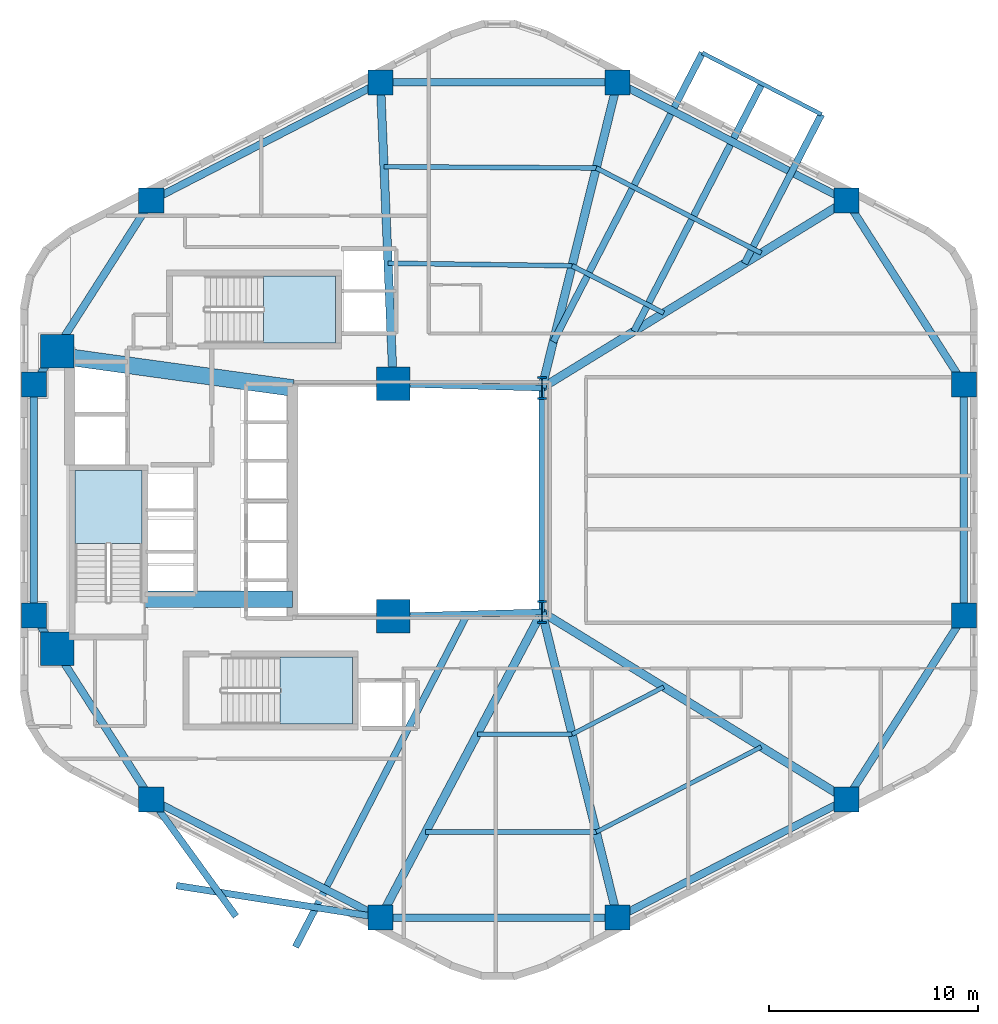
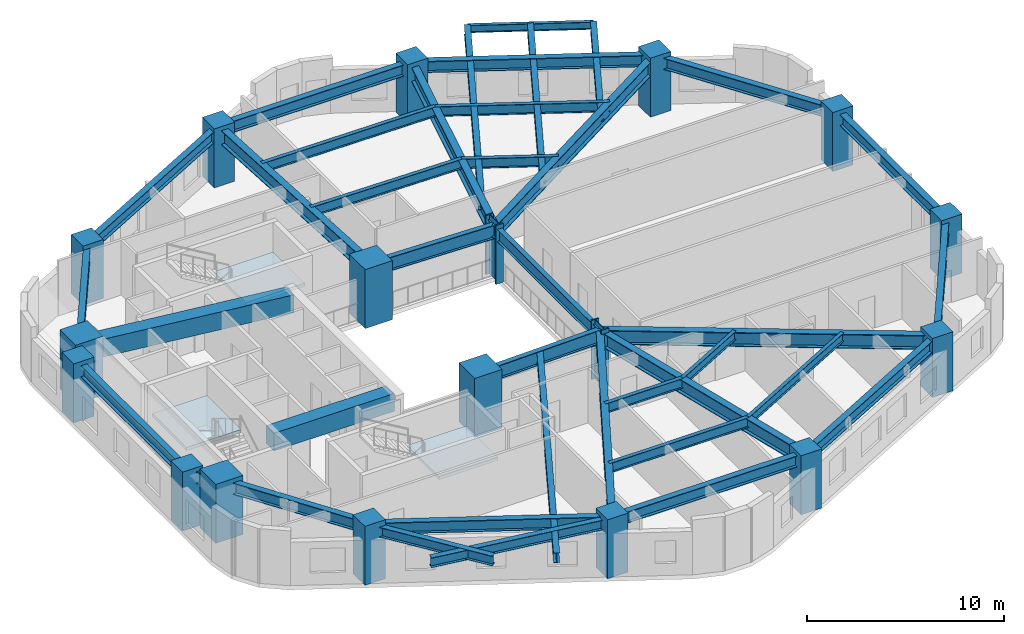
# One storey, part 1 of 7: 38 beams, 18 columns, 3 slabs, 3 elements without a shape of their own.
"""IFC4 building model written with IfcOpenShell, lengths in metres."""

import ifcopenshell
import ifcopenshell.guid

model = None  # the IFC model being written
_history = None  # IfcOwnerHistory: only IFC2X3 demands one
_inside = {}  # id of a spatial element -> (the spatial element, [elements in it])
_under = {}  # id of a project, library or spatial element -> (it, [spatial elements below it])
_declared = {}  # id of a project -> (the project, [libraries it declares])
_typed = {}  # id of a type object -> (the type object, [elements of that type])
_made_of = {}  # id of a material, layer set ... -> (it, [elements and type objects made of it])


def new_model(schema):
    """Start an empty IFC model of exactly this schema.

    Asked for "IFC4X3", IfcOpenShell would pick the latest addendum, in which some entities
    have other attributes; the version numbers below select the first issue.
    IFC2X3 requires an IfcOwnerHistory on every rooted entity: one is made here for all.
    """
    global model, _history
    if schema == "IFC4X3":
        model = ifcopenshell.file(schema_version=(4, 3, 0, 0))
    else:
        model = ifcopenshell.file(schema=schema)
    _inside.clear()
    _under.clear()
    _declared.clear()
    _typed.clear()
    _made_of.clear()
    _history = None
    if model.schema == "IFC2X3":
        org = make("IfcOrganization", Name="unknown")
        user = make(
            "IfcPersonAndOrganization",
            ThePerson=make("IfcPerson", FamilyName="unknown"),
            TheOrganization=org,
        )
        app = make(
            "IfcApplication",
            ApplicationDeveloper=org,
            Version="unknown",
            ApplicationFullName="unknown",
            ApplicationIdentifier="unknown",
        )
        _history = make(
            "IfcOwnerHistory",
            OwningUser=user,
            OwningApplication=app,
            ChangeAction="ADDED",
            CreationDate=0,
        )
    return model


def make(cls, **values):
    """One entity of the class cls with the attributes given. An attribute that is None is left unset."""
    return model.create_entity(
        cls, **{name: value for name, value in values.items() if value is not None}
    )


def rooted(cls, **values):
    """An entity with a GlobalId (a new one), such as an element, a storey or a relation."""
    return make(cls, GlobalId=ifcopenshell.guid.new(), OwnerHistory=_history, **values)


def si_unit(unit_type, name, prefix=None):
    """IfcSIUnit, for example si_unit("LENGTHUNIT", "METRE", prefix="MILLI")."""
    return make("IfcSIUnit", UnitType=unit_type, Prefix=prefix, Name=name)


def assignment(units):
    """IfcUnitAssignment: the units of a project."""
    return None if units is None else make("IfcUnitAssignment", Units=units)


def point(xyz):
    """IfcCartesianPoint."""
    return None if xyz is None else make("IfcCartesianPoint", Coordinates=xyz)


def direction(xyz):
    """IfcDirection."""
    return None if xyz is None else make("IfcDirection", DirectionRatios=xyz)


def frame(location, z_axis=None, x_axis=None):
    """IfcAxis2Placement3D, a coordinate frame: its origin and axes. An axis left out is left unset."""
    return make(
        "IfcAxis2Placement3D",
        Location=point(location),
        Axis=direction(z_axis),
        RefDirection=direction(x_axis),
    )


def frame_2d(location, x_axis=None):
    """IfcAxis2Placement2D, a coordinate frame in the plane: its origin and x axis."""
    return make(
        "IfcAxis2Placement2D", Location=point(location), RefDirection=direction(x_axis)
    )


def origin():
    """The frame at (0, 0, 0) with its axes left unset."""
    return frame((0.0, 0.0, 0.0))


def origin_2d():
    """The frame at (0, 0) in the plane with its x axis left unset."""
    return frame_2d((0.0, 0.0))


def place(relative_to, where):
    """IfcLocalPlacement: puts the frame where relative to a parent placement (None: the world)."""
    return make(
        "IfcLocalPlacement", PlacementRelTo=relative_to, RelativePlacement=where
    )


def context(
    kind, dimensions, precision=None, world=None, true_north=None, identifier=None
):
    """IfcGeometricRepresentationContext, for example the 3D "Model" context."""
    return make(
        "IfcGeometricRepresentationContext",
        ContextIdentifier=identifier,
        ContextType=kind,
        CoordinateSpaceDimension=dimensions,
        Precision=precision,
        WorldCoordinateSystem=world,
        TrueNorth=true_north,
    )


def subcontext(parent, identifier, kind, view, scale=None):
    """IfcGeometricRepresentationSubContext, for example "Body" below "Model"."""
    return make(
        "IfcGeometricRepresentationSubContext",
        ContextIdentifier=identifier,
        ContextType=kind,
        ParentContext=parent,
        TargetScale=scale,
        TargetView=view,
    )


def project(units=None, contexts=None):
    """IfcProject with its units and contexts."""
    return rooted(
        "IfcProject",
        Name="project",
        RepresentationContexts=contexts,
        UnitsInContext=assignment(units),
    )


def spatial(cls, under=None, at=None, **own):
    """A site, building, storey or space (cls), placed at a placement, below another one or the project."""
    s = rooted(cls, ObjectPlacement=at, **own)
    if under is not None:
        _under.setdefault(under.id(), (under, []))[1].append(s)
    return s


def polyline(points):
    """IfcPolyline through the points."""
    return make("IfcPolyline", Points=[point(p) for p in points])


def profile(cls, at=None, kind="AREA", **sizes):
    """A parametric profile (cls). Its sizes go by their IFC names, for example OverallWidth=200.0."""
    return make(cls, ProfileType=kind, Position=at, **sizes)


def rectangle(**sizes):
    """IfcRectangleProfileDef."""
    return profile("IfcRectangleProfileDef", **sizes)


def i_section(**sizes):
    """IfcIShapeProfileDef."""
    return profile("IfcIShapeProfileDef", **sizes)


def outline(outer, holes=None, kind="AREA"):
    """IfcArbitraryClosedProfileDef: a profile drawn as a closed curve; with holes, ...WithVoids."""
    if holes is None:
        return make("IfcArbitraryClosedProfileDef", ProfileType=kind, OuterCurve=outer)
    return make(
        "IfcArbitraryProfileDefWithVoids",
        ProfileType=kind,
        OuterCurve=outer,
        InnerCurves=holes,
    )


def extrude(swept, where, along, depth):
    """IfcExtrudedAreaSolid: the profile swept, set in the frame where, extruded along a direction by depth."""
    return make(
        "IfcExtrudedAreaSolid",
        SweptArea=swept,
        Position=where,
        ExtrudedDirection=direction(along),
        Depth=depth,
    )


def shape(context_of_items, identifier, shape_type, items):
    """IfcShapeRepresentation: the items that make up one representation, for example the "Body"."""
    return make(
        "IfcShapeRepresentation",
        ContextOfItems=context_of_items,
        RepresentationIdentifier=identifier,
        RepresentationType=shape_type,
        Items=items,
    )


def material(Name=None, Category=None):
    """IfcMaterial."""
    return make("IfcMaterial", Name=Name, Category=Category)


def layer(
    of_material, thickness, ventilated=None, Name=None, Category=None, Priority=None
):
    """IfcMaterialLayer: one layer of a wall or slab, of a material (None: an air gap)."""
    return make(
        "IfcMaterialLayer",
        Material=of_material,
        LayerThickness=thickness,
        IsVentilated=ventilated,
        Name=Name,
        Category=Category,
        Priority=Priority,
    )


def layer_set(layers, Name=None):
    """IfcMaterialLayerSet."""
    return make("IfcMaterialLayerSet", MaterialLayers=layers, LayerSetName=Name)


def material_profile(
    of_material, cross_section, Name=None, Category=None, Priority=None
):
    """IfcMaterialProfile: a cross section and its material."""
    return make(
        "IfcMaterialProfile",
        Name=Name,
        Material=of_material,
        Profile=cross_section,
        Priority=Priority,
        Category=Category,
    )


def profile_set(profiles, Name=None, composite=None):
    """IfcMaterialProfileSet."""
    return make(
        "IfcMaterialProfileSet",
        Name=Name,
        MaterialProfiles=profiles,
        CompositeProfile=composite,
    )


def made_of(thing, what):
    """Note that an element or type object is made of a material, layer set ...; save() writes the relation."""
    if what is not None:
        _made_of.setdefault(what.id(), (what, []))[1].append(thing)
    return thing


def type_object(cls, material=None, **own):
    """A type object (cls), such as IfcWallType, which elements share."""
    return made_of(rooted(cls, **own), material)


def element(
    cls,
    number,
    at=None,
    inside=None,
    cuts=None,
    type_object=None,
    material=None,
    context=None,
    identifier="Body",
    shape_type=None,
    held_by="IfcProductDefinitionShape",
    body=None,
    shapes=None,
    **own,
):
    """One element of the class cls, such as IfcWall. Its Tag is "e" and its number.

    at: its placement. inside: the storey or other place that contains it. cuts: it is an
    opening in that element (IfcRelVoidsElement). A single representation is given by context,
    identifier, shape_type and body (its items); several are given by shapes. held_by: the class
    of the entity that holds the representations. save() writes the other relations.
    """
    e = rooted(cls, Tag="e%d" % number, ObjectPlacement=at, **own)
    if body is not None:
        shapes = [shape(context, identifier, shape_type, body)]
    if shapes is not None:
        e.Representation = make(held_by, Representations=shapes)
    if inside is not None:
        _inside.setdefault(inside.id(), (inside, []))[1].append(e)
    if cuts is not None:
        rooted(
            "IfcRelVoidsElement", RelatingBuildingElement=cuts, RelatedOpeningElement=e
        )
    if type_object is not None:
        _typed.setdefault(type_object.id(), (type_object, []))[1].append(e)
    return made_of(e, material)


def aggregate(whole, parts):
    """IfcRelAggregates: a whole, such as a stair, and the parts it consists of."""
    return rooted("IfcRelAggregates", RelatingObject=whole, RelatedObjects=parts)


def save(model, path):
    """Write the relations noted so far, then the file.

    IfcRelAggregates (storeys below a building ...), IfcRelContainedInSpatialStructure (elements
    in a storey), IfcRelDefinesByType, IfcRelAssociatesMaterial and IfcRelDeclares: one each for
    every whole, place, type object, material and project.
    """
    for whole, parts in _under.values():
        aggregate(whole, parts)
    for where, things in _inside.values():
        rooted(
            "IfcRelContainedInSpatialStructure",
            RelatedElements=things,
            RelatingStructure=where,
        )
    for kind, things in _typed.values():
        rooted("IfcRelDefinesByType", RelatedObjects=things, RelatingType=kind)
    for what, things in _made_of.values():
        rooted("IfcRelAssociatesMaterial", RelatedObjects=things, RelatingMaterial=what)
    for by, libraries in _declared.values():
        rooted("IfcRelDeclares", RelatingContext=by, RelatedDefinitions=libraries)
    model.write(path)


model = new_model("IFC4")

# Units and contexts
model_context = context("Model", 3, precision=1e-05, world=origin(), true_north=direction((0.0, 1.0)))
body_context = subcontext(model_context, "Body", "Model", "MODEL_VIEW")
ifc_project = project(units=[si_unit("LENGTHUNIT", "METRE"), si_unit("AREAUNIT", "SQUARE_METRE"), si_unit("VOLUMEUNIT", "CUBIC_METRE"), si_unit("PLANEANGLEUNIT", "RADIAN"), si_unit("MASSUNIT", "GRAM", prefix="KILO"), si_unit("THERMODYNAMICTEMPERATUREUNIT", "KELVIN"), si_unit("POWERUNIT", "WATT")], contexts=[model_context])

# Site, building, storey
site_placement = place(None, origin())
site = spatial("IfcSite", under=ifc_project, at=site_placement, CompositionType="ELEMENT")
building_placement = place(site_placement, origin())
building = spatial("IfcBuilding", under=site, at=building_placement, Name="Skarre Station Tower", CompositionType="ELEMENT")
storey_placement = place(building_placement, frame((0.0, 0.0, 78.10009765625)))
storey = spatial("IfcBuildingStorey", under=building, at=storey_placement, Name="L20", CompositionType="ELEMENT", Elevation=78.10009765625)

# Columns
ifc_material_1 = material(Name="Concrete C60/75", Category="concrete")
ifc_material_profile_1 = material_profile(ifc_material_1, rectangle(XDim=1.199951171875, YDim=1.199951171875, at=origin_2d()), Name="Concrete C60/75")
ifc_profile_set_1 = profile_set([ifc_material_profile_1], Name="Concrete C60/75")
column_type_1 = type_object("IfcColumnType", Name="RC Structural Column RC-COL-1200X1200", PredefinedType="COLUMN", material=ifc_profile_set_1)
for number, where, z_axis, x_axis, name in (
    (1, (54.007080078125, 38.298095703125, 0.0), (0.0, 0.0, 1.0), (1.0, 0.0, 0.0), "L20 Zone 1 Perimeter Column F0C1"),
    (2, (43.06005859375, 43.947021484375, 0.0), (0.0, 0.0, 1.0), (1.0, 0.0, 0.0), "L20 Zone 1 Perimeter Column F0C2"),
    (3, (31.739990234375, 43.947021484375, 0.0), (0.0, 0.0, 1.0), (1.0, 0.0, 0.0), "L20 Zone 1 Perimeter Column F1C1"),
    (4, (20.79296875, 38.298095703125, 0.0), (0.0, 0.0, 1.0), (1.0, 0.0, 0.0), "L20 Zone 1 Perimeter Column F1C2"),
    (5, (15.18701171875, 29.52099609375, 0.0), (0.0, 0.0, 1.0), (1.0, 0.0, 0.0), "L20 Zone 1 Perimeter Column F2C1"),
    (6, (15.18701171875, 18.47900390625, 0.0), (0.0, 0.0, 1.0), (1.0, 0.0, 0.0), "L20 Zone 1 Perimeter Column F2C2"),
    (7, (20.79296875, 9.701904296875, 0.0), (0.0, 0.0, 1.0), (1.0, 0.0, 0.0), "L20 Zone 1 Perimeter Column F3C1"),
    (8, (31.739990234375, 4.052978515625, 0.0), (0.0, 0.0, 1.0), (1.0, 0.0, 0.0), "L20 Zone 1 Perimeter Column F3C2"),
    (9, (43.06005859375, 4.052978515625, 0.0), (0.0, 0.0, 1.0), (1.0, 0.0, 0.0), "L20 Zone 1 Perimeter Column F4C1"),
    (10, (54.007080078125, 9.701904296875, 0.0), (0.0, 0.0, 1.0), (1.0, 0.0, 0.0), "L20 Zone 1 Perimeter Column F4C2"),
    (11, (59.613037109375, 18.47900390625, 0.0), (0.0, 0.0, 1.0), (1.0, 0.0, 0.0), "L20 Zone 1 Perimeter Column F5C1"),
    (12, (59.613037109375, 29.52099609375, 0.0), (0.0, 0.0, 1.0), (1.0, 0.0, 0.0), "L20 Zone 1 Perimeter Column F5C2"),
):
    element("IfcColumn", number, at=place(storey_placement, frame(where, z_axis=z_axis, x_axis=x_axis)), inside=storey, type_object=column_type_1, Name=name, PredefinedType="COLUMN", context=body_context, shape_type="SweptSolid", body=[
        extrude(rectangle(XDim=1.199951171875, YDim=1.199951171875, at=origin_2d()), origin(), (0.0, 0.0, 1.0), 3.64990234375),
    ])
ifc_material_2 = material(Name="Concrete C70/85", Category="concrete")
ifc_material_profile_2 = material_profile(ifc_material_2, rectangle(XDim=1.60009765625, YDim=1.60009765625, at=origin_2d()), Name="Concrete C70/85")
ifc_profile_set_2 = profile_set([ifc_material_profile_2], Name="Concrete C70/85")
column_type_2 = type_object("IfcColumnType", Name="RC Structural Column RC-COL-1600X1600", PredefinedType="COLUMN", material=ifc_profile_set_2)
for number, where, z_axis, x_axis, name in (
    (13, (16.300048828125, 16.89990234375, 0.0), (0.0, 0.0, 1.0), (1.0, 0.0, 0.0), "L20 Core Column CC-SW"),
    (14, (16.300048828125, 31.10009765625, 0.0), (0.0, 0.0, 1.0), (1.0, 0.0, 0.0), "L20 Core Column CC-NW"),
    (15, (32.35009765625, 18.449951171875, 0.0), (0.0, 0.0, 1.0), (1.0, 0.0, 0.0), "L20 Core Column CC-SE"),
    (16, (32.35009765625, 29.550048828125, 0.0), (0.0, 0.0, 1.0), (1.0, 0.0, 0.0), "L20 Core Column CC-NE"),
):
    element("IfcColumn", number, at=place(storey_placement, frame(where, z_axis=z_axis, x_axis=x_axis)), inside=storey, type_object=column_type_2, Name=name, PredefinedType="COLUMN", context=body_context, shape_type="SweptSolid", body=[
        extrude(rectangle(XDim=1.60009765625, YDim=1.60009765625, at=origin_2d()), origin(), (0.0, 0.0, 1.0), 3.64990234375),
    ])
ifc_material_3 = material(Name="Steel ASTM A913 Grade 65", Category="steel")
ifc_material_profile_3 = material_profile(ifc_material_3, i_section(OverallWidth=0.424072265625, OverallDepth=1.092041015625, WebThickness=0.044921875, FlangeThickness=0.08203125, at=origin_2d()), Name="Steel ASTM A913 Grade 65")
ifc_profile_set_3 = profile_set([ifc_material_profile_3], Name="Steel ASTM A913 Grade 65")
column_type_3 = type_object("IfcColumnType", Name="Steel Column W40X593", PredefinedType="COLUMN", material=ifc_profile_set_3)
for number, where, z_axis, x_axis, name in (
    (17, (39.449951171875, 18.64990234375, 0.0), (0.0, 0.0, 1.0), (1.0, 0.0, 0.0), "L20 Atrium Spine Column AC-SE"),
    (18, (39.449951171875, 29.35009765625, 0.0), (0.0, 0.0, 1.0), (1.0, 0.0, 0.0), "L20 Atrium Spine Column AC-NE"),
):
    element("IfcColumn", number, at=place(storey_placement, frame(where, z_axis=z_axis, x_axis=x_axis)), inside=storey, type_object=column_type_3, Name=name, PredefinedType="COLUMN", context=body_context, shape_type="SweptSolid", body=[
        extrude(i_section(OverallWidth=0.424072265625, OverallDepth=1.092041015625, WebThickness=0.044921875, FlangeThickness=0.08203125, at=origin_2d()), origin(), (0.0, 0.0, 1.0), 3.64990234375),
    ])

# Beams
ifc_material_profile_4 = material_profile(ifc_material_2, rectangle(XDim=0.800048828125, YDim=1.10009765625, at=origin_2d()), Name="Concrete C70/85")
ifc_profile_set_4 = profile_set([ifc_material_profile_4], Name="Concrete C70/85")
beam_type_1 = type_object("IfcBeamType", Name="RC Core Coupling Lintel 800x1100", PredefinedType="LINTEL", material=ifc_profile_set_4)
beam_1_placement = place(storey_placement, frame((20.489990234375, 19.260009765625, 2.83984375), z_axis=(1.0, 0.0, 0.0), x_axis=(0.0, 1.0, 0.0)))
element("IfcBeam", 19, at=beam_1_placement, inside=storey, type_object=beam_type_1, Name="L20 South Core Coupling Lintel", PredefinedType="LINTEL", context=body_context, shape_type="SweptSolid", body=[
    extrude(rectangle(XDim=0.800048828125, YDim=1.10009765625, at=origin_2d()), origin(), (0.0, 0.0, 1.0), 7.06005859375),
])
beam_2_placement = place(storey_placement, frame((17.050048828125, 30.800048828125, 2.83984375), z_axis=(0.990599723633, -0.136792498109, 0.0), x_axis=(0.136792498109, 0.990599723633, 0.0)))
element("IfcBeam", 20, at=beam_2_placement, inside=storey, type_object=beam_type_1, Name="L20 North Core Coupling Lintel", PredefinedType="LINTEL", context=body_context, shape_type="SweptSolid", body=[
    extrude(rectangle(XDim=0.800048828125, YDim=1.10009765625, at=origin_2d()), origin(), (0.0, 0.0, 1.0), 10.599609375),
])
ifc_material_4 = material(Name="Steel ASTM A992 Grade 50", Category="steel")
ifc_material_profile_5 = material_profile(ifc_material_4, i_section(OverallWidth=0.323974609375, OverallDepth=0.611083984375, WebThickness=0.012939453125, FlangeThickness=0.01904296875, at=origin_2d()), Name="Steel ASTM A992 Grade 50")
ifc_profile_set_5 = profile_set([ifc_material_profile_5], Name="Steel ASTM A992 Grade 50")
beam_type_2 = type_object("IfcBeamType", Name="Steel Beam W24X104", PredefinedType="BEAM", material=ifc_profile_set_5)
beam_3_placement = place(storey_placement, frame((20.79296875, 9.701904296875, 3.0), z_axis=(0.586645094121, -0.809844141513, 0.0), x_axis=(0.809844141513, 0.586645094121, 0.0)))
element("IfcBeam", 21, at=beam_3_placement, inside=storey, type_object=beam_type_2, Name="L20 TB-L21-F3 Center Outrigger Beam", PredefinedType="BEAM", context=body_context, shape_type="SweptSolid", body=[
    extrude(i_section(OverallWidth=0.323974609375, OverallDepth=0.611083984375, WebThickness=0.012939453125, FlangeThickness=0.01904296875, at=origin_2d()), origin(), (0.0, 0.0, 1.0), 6.898681640625),
])
beam_4_placement = place(storey_placement, frame((31.739990234375, 4.052978515625, 3.0), z_axis=(-0.987910236497, 0.155026980311, 0.0), x_axis=(-0.155026980311, -0.987910236497, 0.0)))
element("IfcBeam", 22, at=beam_4_placement, inside=storey, type_object=beam_type_2, Name="L20 TB-L21-F3 Outrigger Beam 1", PredefinedType="BEAM", context=body_context, shape_type="SweptSolid", body=[
    extrude(i_section(OverallWidth=0.323974609375, OverallDepth=0.611083984375, WebThickness=0.012939453125, FlangeThickness=0.01904296875, at=origin_2d()), origin(), (0.0, 0.0, 1.0), 9.863037109375),
])
beam_5_placement = place(storey_placement, frame((35.89208984375, 18.550048828125, 3.0), z_axis=(-0.458641529795, -0.88862137446, 0.0), x_axis=(0.88862137446, -0.458641529795, 0.0)))
element("IfcBeam", 23, at=beam_5_placement, inside=storey, type_object=beam_type_2, Name="L20 TB-L21-F3 Outrigger Beam 2", PredefinedType="BEAM", context=body_context, shape_type="SweptSolid", body=[
    extrude(i_section(OverallWidth=0.323974609375, OverallDepth=0.611083984375, WebThickness=0.012939453125, FlangeThickness=0.01904296875, at=origin_2d()), origin(), (0.0, 0.0, 1.0), 17.896240234375),
])
beam_6_placement = place(storey_placement, frame((43.85498046875, 32.05810546875, 3.0), z_axis=(0.458658805001, 0.888612458046, 0.0), x_axis=(-0.888612458046, 0.458658805001, 0.0)))
element("IfcBeam", 24, at=beam_6_placement, inside=storey, type_object=beam_type_2, Name="L20 TB-L21-F0 Center Outrigger Beam", PredefinedType="BEAM", context=body_context, shape_type="SweptSolid", body=[
    extrude(i_section(OverallWidth=0.323974609375, OverallDepth=0.611083984375, WebThickness=0.012939453125, FlangeThickness=0.01904296875, at=origin_2d()), origin(), (0.0, 0.0, 1.0), 13.310546875),
])
beam_7_placement = place(storey_placement, frame((49.1298828125, 35.300048828125, 3.0), z_axis=(0.458673197801, 0.888605029031, 0.0), x_axis=(-0.888605029031, 0.458673197801, 0.0)))
element("IfcBeam", 25, at=beam_7_placement, inside=storey, type_object=beam_type_2, Name="L20 TB-L21-F0 Outrigger Beam 1", PredefinedType="BEAM", context=body_context, shape_type="SweptSolid", body=[
    extrude(i_section(OverallWidth=0.323974609375, OverallDepth=0.611083984375, WebThickness=0.012939453125, FlangeThickness=0.01904296875, at=origin_2d()), origin(), (0.0, 0.0, 1.0), 8.01025390625),
])
beam_8_placement = place(storey_placement, frame((39.99609375, 31.55810546875, 3.0), z_axis=(0.45863851318, 0.88862293141, 0.0), x_axis=(-0.88862293141, 0.45863851318, 0.0)))
element("IfcBeam", 26, at=beam_8_placement, inside=storey, type_object=beam_type_2, Name="L20 TB-L21-F0 Outrigger Beam 2", PredefinedType="BEAM", context=body_context, shape_type="SweptSolid", body=[
    extrude(i_section(OverallWidth=0.323974609375, OverallDepth=0.611083984375, WebThickness=0.012939453125, FlangeThickness=0.01904296875, at=origin_2d()), origin(), (0.0, 0.0, 1.0), 15.52392578125),
])
ifc_material_profile_6 = material_profile(ifc_material_4, i_section(OverallWidth=0.26806640625, OverallDepth=0.77001953125, WebThickness=0.01611328125, FlangeThickness=0.02490234375, at=origin_2d()), Name="Steel ASTM A992 Grade 50")
ifc_profile_set_6 = profile_set([ifc_material_profile_6], Name="Steel ASTM A992 Grade 50")
beam_type_3 = type_object("IfcBeamType", Name="Steel Beam W30X132", PredefinedType="BEAM", material=ifc_profile_set_6)
beam_9_placement = place(storey_placement, frame((39.449951171875, 18.64990234375, 3.0048828125), z_axis=(0.0, 1.0, 0.0), x_axis=(-1.0, 0.0, 0.0)))
element("IfcBeam", 27, at=beam_9_placement, inside=storey, type_object=beam_type_3, Name="L20 Atrium East Edge Girder", PredefinedType="BEAM", context=body_context, shape_type="SweptSolid", body=[
    extrude(i_section(OverallWidth=0.26806640625, OverallDepth=0.77001953125, WebThickness=0.01611328125, FlangeThickness=0.02490234375, at=origin_2d()), origin(), (0.0, 0.0, 1.0), 10.7001953125),
])
ifc_material_profile_7 = material_profile(ifc_material_4, i_section(OverallWidth=0.2919921875, OverallDepth=0.85888671875, WebThickness=0.01708984375, FlangeThickness=0.031005859375, at=origin_2d()), Name="Steel ASTM A992 Grade 50")
ifc_profile_set_7 = profile_set([ifc_material_profile_7], Name="Steel ASTM A992 Grade 50")
beam_type_4 = type_object("IfcBeamType", Name="Steel Beam W33X169", PredefinedType="BEAM", material=ifc_profile_set_7)
for number, where, z_axis, x_axis, name in (
    (28, (32.35009765625, 18.449951171875, 2.9599609375), (0.999603666405, 0.028151556095, 0.0), (-0.028151556095, 0.999603666405, 0.0), "L20 Atrium South Edge Girder"),
    (29, (32.35009765625, 29.550048828125, 2.9599609375), (0.999603666405, -0.028151556095, 0.0), (0.028151556095, 0.999603666405, 0.0), "L20 Atrium North Edge Girder"),
):
    element("IfcBeam", number, at=place(storey_placement, frame(where, z_axis=z_axis, x_axis=x_axis)), inside=storey, type_object=beam_type_4, Name=name, PredefinedType="BEAM", context=body_context, shape_type="SweptSolid", body=[
        extrude(i_section(OverallWidth=0.2919921875, OverallDepth=0.85888671875, WebThickness=0.01708984375, FlangeThickness=0.031005859375, at=origin_2d()), origin(), (0.0, 0.0, 1.0), 7.102783203125),
    ])
ifc_material_profile_8 = material_profile(ifc_material_4, i_section(OverallWidth=0.40087890625, OverallDepth=0.876953125, WebThickness=0.02197265625, FlangeThickness=0.0400390625, at=origin_2d()), Name="Steel ASTM A992 Grade 50")
ifc_profile_set_8 = profile_set([ifc_material_profile_8], Name="Steel ASTM A992 Grade 50")
beam_type_5 = type_object("IfcBeamType", Name="Steel Beam W33X263", PredefinedType="BEAM", material=ifc_profile_set_8)
beam_10_placement = place(storey_placement, frame((39.449951171875, 29.35009765625, 2.950927734375), z_axis=(0.851925565957, 0.523662897358, 0.0), x_axis=(-0.523662897358, 0.851925565957, 0.0)))
element("IfcBeam", 30, at=beam_10_placement, inside=storey, type_object=beam_type_5, Name="L20 Radial Floor Girder F0C1", PredefinedType="BEAM", context=body_context, shape_type="SweptSolid", body=[
    extrude(i_section(OverallWidth=0.40087890625, OverallDepth=0.876953125, WebThickness=0.02197265625, FlangeThickness=0.0400390625, at=origin_2d()), origin(), (0.0, 0.0, 1.0), 17.08740234375),
])
beam_11_placement = place(storey_placement, frame((39.449951171875, 29.35009765625, 2.950927734375), z_axis=(0.240086037639, 0.9707516132, 0.0), x_axis=(-0.9707516132, 0.240086037639, 0.0)))
element("IfcBeam", 31, at=beam_11_placement, inside=storey, type_object=beam_type_5, Name="L20 Radial Floor Girder F0C2", PredefinedType="BEAM", context=body_context, shape_type="SweptSolid", body=[
    extrude(i_section(OverallWidth=0.40087890625, OverallDepth=0.876953125, WebThickness=0.02197265625, FlangeThickness=0.0400390625, at=origin_2d()), origin(), (0.0, 0.0, 1.0), 15.03662109375),
])
beam_12_placement = place(storey_placement, frame((32.35009765625, 29.550048828125, 2.950927734375), z_axis=(-0.042339479433, 0.999103282189, 0.0), x_axis=(-0.999103282189, -0.042339479433, 0.0)))
element("IfcBeam", 32, at=beam_12_placement, inside=storey, type_object=beam_type_5, Name="L20 Radial Floor Girder F1C1", PredefinedType="BEAM", context=body_context, shape_type="SweptSolid", body=[
    extrude(i_section(OverallWidth=0.40087890625, OverallDepth=0.876953125, WebThickness=0.02197265625, FlangeThickness=0.0400390625, at=origin_2d()), origin(), (0.0, 0.0, 1.0), 14.409912109375),
])
beam_13_placement = place(storey_placement, frame((39.449951171875, 18.64990234375, 2.950927734375), z_axis=(-0.467044240884, -0.884233949279, 0.0), x_axis=(0.884233949279, -0.467044240884, 0.0)))
element("IfcBeam", 33, at=beam_13_placement, inside=storey, type_object=beam_type_5, Name="L20 Radial Floor Girder F3C2", PredefinedType="BEAM", context=body_context, shape_type="SweptSolid", body=[
    extrude(i_section(OverallWidth=0.40087890625, OverallDepth=0.876953125, WebThickness=0.02197265625, FlangeThickness=0.0400390625, at=origin_2d()), origin(), (0.0, 0.0, 1.0), 16.508056640625),
])
beam_14_placement = place(storey_placement, frame((39.449951171875, 18.64990234375, 2.950927734375), z_axis=(0.240086037639, -0.9707516132, 0.0), x_axis=(0.9707516132, 0.240086037639, 0.0)))
element("IfcBeam", 34, at=beam_14_placement, inside=storey, type_object=beam_type_5, Name="L20 Radial Floor Girder F4C1", PredefinedType="BEAM", context=body_context, shape_type="SweptSolid", body=[
    extrude(i_section(OverallWidth=0.40087890625, OverallDepth=0.876953125, WebThickness=0.02197265625, FlangeThickness=0.0400390625, at=origin_2d()), origin(), (0.0, 0.0, 1.0), 15.03662109375),
])
beam_15_placement = place(storey_placement, frame((39.449951171875, 18.64990234375, 2.950927734375), z_axis=(0.851925565957, -0.523662897358, 0.0), x_axis=(0.523662897358, 0.851925565957, 0.0)))
element("IfcBeam", 35, at=beam_15_placement, inside=storey, type_object=beam_type_5, Name="L20 Radial Floor Girder F4C2", PredefinedType="BEAM", context=body_context, shape_type="SweptSolid", body=[
    extrude(i_section(OverallWidth=0.40087890625, OverallDepth=0.876953125, WebThickness=0.02197265625, FlangeThickness=0.0400390625, at=origin_2d()), origin(), (0.0, 0.0, 1.0), 17.08740234375),
])
ifc_material_profile_9 = material_profile(ifc_material_4, i_section(OverallWidth=0.19091796875, OverallDepth=0.45703125, WebThickness=0.009033203125, FlangeThickness=0.013916015625, at=origin_2d()), Name="Steel ASTM A992 Grade 50")
ifc_profile_set_9 = profile_set([ifc_material_profile_9], Name="Steel ASTM A992 Grade 50")
beam_type_6 = type_object("IfcBeamType", Name="Steel Joist W18X50", PredefinedType="JOIST", material=ifc_profile_set_9)
beam_16_placement = place(storey_placement, frame((52.803955078125, 42.41796875, 3.076904296875), z_axis=(-0.888663779873, 0.458559359672, 0.0), x_axis=(-0.458559359672, -0.888663779873, 0.0)))
element("IfcBeam", 36, at=beam_16_placement, inside=storey, type_object=beam_type_6, Name="L20 TB-L21-F0 Rim Beam", PredefinedType="JOIST", context=body_context, shape_type="SweptSolid", body=[
    extrude(i_section(OverallWidth=0.19091796875, OverallDepth=0.45703125, WebThickness=0.009033203125, FlangeThickness=0.013916015625, at=origin_2d()), origin(), (0.0, 0.0, 1.0), 6.400634765625),
])
ifc_material_profile_10 = material_profile(ifc_material_4, i_section(OverallWidth=0.208984375, OverallDepth=0.532958984375, WebThickness=0.010009765625, FlangeThickness=0.01611328125, at=origin_2d()), Name="Steel ASTM A992 Grade 50")
ifc_profile_set_10 = profile_set([ifc_material_profile_10], Name="Steel ASTM A992 Grade 50")
beam_type_7 = type_object("IfcBeamType", Name="Steel Joist W21X62", PredefinedType="JOIST", material=ifc_profile_set_10)
beam_17_placement = place(storey_placement, frame((40.89404296875, 12.81103515625, 3.1240234375), z_axis=(0.888626519249, 0.458631561591, 0.0), x_axis=(-0.458631561591, 0.888626519249, 0.0)))
element("IfcBeam", 37, at=beam_17_placement, inside=storey, type_object=beam_type_7, Name="L20 Auxiliary Composite Joist 7", PredefinedType="JOIST", context=body_context, shape_type="SweptSolid", body=[
    extrude(i_section(OverallWidth=0.208984375, OverallDepth=0.532958984375, WebThickness=0.010009765625, FlangeThickness=0.01611328125, at=origin_2d()), origin(), (0.0, 0.0, 1.0), 4.927734375),
])
beam_18_placement = place(storey_placement, frame((42.049072265625, 8.139892578125, 3.1240234375), z_axis=(0.88866227096, 0.458562283853, 0.0), x_axis=(-0.458562283853, 0.88866227096, 0.0)))
element("IfcBeam", 38, at=beam_18_placement, inside=storey, type_object=beam_type_7, Name="L20 Auxiliary Composite Joist 8", PredefinedType="JOIST", context=body_context, shape_type="SweptSolid", body=[
    extrude(i_section(OverallWidth=0.208984375, OverallDepth=0.532958984375, WebThickness=0.010009765625, FlangeThickness=0.01611328125, at=origin_2d()), origin(), (0.0, 0.0, 1.0), 8.869384765625),
])
ifc_material_profile_11 = material_profile(ifc_material_4, i_section(OverallWidth=0.22802734375, OverallDepth=0.60791015625, WebThickness=0.010986328125, FlangeThickness=0.01708984375, at=origin_2d()), Name="Steel ASTM A992 Grade 50")
ifc_profile_set_11 = profile_set([ifc_material_profile_11], Name="Steel ASTM A992 Grade 50")
beam_type_8 = type_object("IfcBeamType", Name="Steel Joist W24X76", PredefinedType="JOIST", material=ifc_profile_set_11)
beam_19_placement = place(storey_placement, frame((45.27294921875, 32.928955078125, 3.0859375), z_axis=(-0.888626519249, 0.458631561591, 0.0), x_axis=(-0.458631561591, -0.888626519249, 0.0)))
element("IfcBeam", 39, at=beam_19_placement, inside=storey, type_object=beam_type_8, Name="L20 Secondary Floor Joist 1", PredefinedType="JOIST", context=body_context, shape_type="SweptSolid", body=[
    extrude(i_section(OverallWidth=0.22802734375, OverallDepth=0.60791015625, WebThickness=0.010986328125, FlangeThickness=0.01708984375, at=origin_2d()), origin(), (0.0, 0.0, 1.0), 4.927734375),
])
beam_20_placement = place(storey_placement, frame((49.930908203125, 35.79296875, 3.0859375), z_axis=(-0.88866227096, 0.458562283853, 0.0), x_axis=(-0.458562283853, -0.88866227096, 0.0)))
element("IfcBeam", 40, at=beam_20_placement, inside=storey, type_object=beam_type_8, Name="L20 Secondary Floor Joist 2", PredefinedType="JOIST", context=body_context, shape_type="SweptSolid", body=[
    extrude(i_section(OverallWidth=0.22802734375, OverallDepth=0.60791015625, WebThickness=0.010986328125, FlangeThickness=0.01708984375, at=origin_2d()), origin(), (0.0, 0.0, 1.0), 8.869384765625),
])
beam_21_placement = place(storey_placement, frame((40.89404296875, 35.18896484375, 3.0859375), z_axis=(-0.999906603441, 0.013666908792, 0.0), x_axis=(-0.013666908792, -0.999906603441, 0.0)))
element("IfcBeam", 41, at=beam_21_placement, inside=storey, type_object=beam_type_8, Name="L20 Secondary Floor Joist 3", PredefinedType="JOIST", context=body_context, shape_type="SweptSolid", body=[
    extrude(i_section(OverallWidth=0.22802734375, OverallDepth=0.60791015625, WebThickness=0.010986328125, FlangeThickness=0.01708984375, at=origin_2d()), origin(), (0.0, 0.0, 1.0), 8.788818359375),
])
beam_22_placement = place(storey_placement, frame((42.049072265625, 39.860107421875, 3.0859375), z_axis=(-0.999984794845, 0.005514533498, 0.0), x_axis=(-0.005514533498, -0.999984794845, 0.0)))
element("IfcBeam", 42, at=beam_22_placement, inside=storey, type_object=beam_type_8, Name="L20 Secondary Floor Joist 4", PredefinedType="JOIST", context=body_context, shape_type="SweptSolid", body=[
    extrude(i_section(OverallWidth=0.22802734375, OverallDepth=0.60791015625, WebThickness=0.010986328125, FlangeThickness=0.01708984375, at=origin_2d()), origin(), (0.0, 0.0, 1.0), 10.138427734375),
])
beam_23_placement = place(storey_placement, frame((36.365966796875, 12.81103515625, 3.0859375), z_axis=(1.0, 0.0, 0.0), x_axis=(0.0, 1.0, 0.0)))
element("IfcBeam", 43, at=beam_23_placement, inside=storey, type_object=beam_type_8, Name="L20 Secondary Floor Joist 5", PredefinedType="JOIST", context=body_context, shape_type="SweptSolid", body=[
    extrude(i_section(OverallWidth=0.22802734375, OverallDepth=0.60791015625, WebThickness=0.010986328125, FlangeThickness=0.01708984375, at=origin_2d()), origin(), (0.0, 0.0, 1.0), 4.528076171875),
])
beam_24_placement = place(storey_placement, frame((33.89892578125, 8.139892578125, 3.0859375), z_axis=(1.0, 0.0, 0.0), x_axis=(0.0, 1.0, 0.0)))
element("IfcBeam", 44, at=beam_24_placement, inside=storey, type_object=beam_type_8, Name="L20 Secondary Floor Joist 6", PredefinedType="JOIST", context=body_context, shape_type="SweptSolid", body=[
    extrude(i_section(OverallWidth=0.22802734375, OverallDepth=0.60791015625, WebThickness=0.010986328125, FlangeThickness=0.01708984375, at=origin_2d()), origin(), (0.0, 0.0, 1.0), 8.150146484375),
])
ifc_material_profile_12 = material_profile(ifc_material_4, i_section(OverallWidth=0.35791015625, OverallDepth=0.7060546875, WebThickness=0.01806640625, FlangeThickness=0.030029296875, at=origin_2d()), Name="Steel ASTM A992 Grade 50")
ifc_profile_set_12 = profile_set([ifc_material_profile_12], Name="Steel ASTM A992 Grade 50")
beam_type_9 = type_object("IfcBeamType", Name="Steel Spandrel W27X178", PredefinedType="SPANDREL", material=ifc_profile_set_12)
beam_25_placement = place(storey_placement, frame((54.007080078125, 38.298095703125, 3.036865234375), z_axis=(-0.888658695823, 0.458569212158, 0.0), x_axis=(-0.458569212158, -0.888658695823, 0.0)))
element("IfcBeam", 45, at=beam_25_placement, inside=storey, type_object=beam_type_9, Name="L20 Facet Spandrel Beam 1", PredefinedType="SPANDREL", context=body_context, shape_type="SweptSolid", body=[
    extrude(i_section(OverallWidth=0.35791015625, OverallDepth=0.7060546875, WebThickness=0.01806640625, FlangeThickness=0.030029296875, at=origin_2d()), origin(), (0.0, 0.0, 1.0), 12.318603515625),
])
beam_26_placement = place(storey_placement, frame((43.06005859375, 43.947021484375, 3.036865234375), z_axis=(-1.0, 0.0, 0.0), x_axis=(0.0, -1.0, 0.0)))
element("IfcBeam", 46, at=beam_26_placement, inside=storey, type_object=beam_type_9, Name="L20 Facet Spandrel Beam 2", PredefinedType="SPANDREL", context=body_context, shape_type="SweptSolid", body=[
    extrude(i_section(OverallWidth=0.35791015625, OverallDepth=0.7060546875, WebThickness=0.01806640625, FlangeThickness=0.030029296875, at=origin_2d()), origin(), (0.0, 0.0, 1.0), 11.320068359375),
])
beam_27_placement = place(storey_placement, frame((31.739990234375, 43.947021484375, 3.036865234375), z_axis=(-0.888658695823, -0.458569212158, 0.0), x_axis=(0.458569212158, -0.888658695823, 0.0)))
element("IfcBeam", 47, at=beam_27_placement, inside=storey, type_object=beam_type_9, Name="L20 Facet Spandrel Beam 3", PredefinedType="SPANDREL", context=body_context, shape_type="SweptSolid", body=[
    extrude(i_section(OverallWidth=0.35791015625, OverallDepth=0.7060546875, WebThickness=0.01806640625, FlangeThickness=0.030029296875, at=origin_2d()), origin(), (0.0, 0.0, 1.0), 12.318603515625),
])
beam_28_placement = place(storey_placement, frame((20.79296875, 38.298095703125, 3.036865234375), z_axis=(-0.538277829225, -0.842767452246, 0.0), x_axis=(0.842767452246, -0.538277829225, 0.0)))
element("IfcBeam", 48, at=beam_28_placement, inside=storey, type_object=beam_type_9, Name="L20 Facet Spandrel Beam 4", PredefinedType="SPANDREL", context=body_context, shape_type="SweptSolid", body=[
    extrude(i_section(OverallWidth=0.35791015625, OverallDepth=0.7060546875, WebThickness=0.01806640625, FlangeThickness=0.030029296875, at=origin_2d()), origin(), (0.0, 0.0, 1.0), 10.41455078125),
])
beam_29_placement = place(storey_placement, frame((15.18701171875, 29.52099609375, 3.036865234375), z_axis=(0.0, -1.0, 0.0), x_axis=(1.0, 0.0, 0.0)))
element("IfcBeam", 49, at=beam_29_placement, inside=storey, type_object=beam_type_9, Name="L20 Facet Spandrel Beam 5", PredefinedType="SPANDREL", context=body_context, shape_type="SweptSolid", body=[
    extrude(i_section(OverallWidth=0.35791015625, OverallDepth=0.7060546875, WebThickness=0.01806640625, FlangeThickness=0.030029296875, at=origin_2d()), origin(), (0.0, 0.0, 1.0), 11.0419921875),
])
beam_30_placement = place(storey_placement, frame((15.18701171875, 18.47900390625, 3.036865234375), z_axis=(0.538277829225, -0.842767452246, 0.0), x_axis=(0.842767452246, 0.538277829225, 0.0)))
element("IfcBeam", 50, at=beam_30_placement, inside=storey, type_object=beam_type_9, Name="L20 Facet Spandrel Beam 6", PredefinedType="SPANDREL", context=body_context, shape_type="SweptSolid", body=[
    extrude(i_section(OverallWidth=0.35791015625, OverallDepth=0.7060546875, WebThickness=0.01806640625, FlangeThickness=0.030029296875, at=origin_2d()), origin(), (0.0, 0.0, 1.0), 10.41455078125),
])
beam_31_placement = place(storey_placement, frame((20.79296875, 9.701904296875, 3.036865234375), z_axis=(0.888658695823, -0.458569212158, 0.0), x_axis=(0.458569212158, 0.888658695823, 0.0)))
element("IfcBeam", 51, at=beam_31_placement, inside=storey, type_object=beam_type_9, Name="L20 Facet Spandrel Beam 7", PredefinedType="SPANDREL", context=body_context, shape_type="SweptSolid", body=[
    extrude(i_section(OverallWidth=0.35791015625, OverallDepth=0.7060546875, WebThickness=0.01806640625, FlangeThickness=0.030029296875, at=origin_2d()), origin(), (0.0, 0.0, 1.0), 12.318603515625),
])
beam_32_placement = place(storey_placement, frame((31.739990234375, 4.052978515625, 3.036865234375), z_axis=(1.0, 0.0, 0.0), x_axis=(0.0, 1.0, 0.0)))
element("IfcBeam", 52, at=beam_32_placement, inside=storey, type_object=beam_type_9, Name="L20 Facet Spandrel Beam 8", PredefinedType="SPANDREL", context=body_context, shape_type="SweptSolid", body=[
    extrude(i_section(OverallWidth=0.35791015625, OverallDepth=0.7060546875, WebThickness=0.01806640625, FlangeThickness=0.030029296875, at=origin_2d()), origin(), (0.0, 0.0, 1.0), 11.320068359375),
])
beam_33_placement = place(storey_placement, frame((43.06005859375, 4.052978515625, 3.036865234375), z_axis=(0.888658695823, 0.458569212158, 0.0), x_axis=(-0.458569212158, 0.888658695823, 0.0)))
element("IfcBeam", 53, at=beam_33_placement, inside=storey, type_object=beam_type_9, Name="L20 Facet Spandrel Beam 9", PredefinedType="SPANDREL", context=body_context, shape_type="SweptSolid", body=[
    extrude(i_section(OverallWidth=0.35791015625, OverallDepth=0.7060546875, WebThickness=0.01806640625, FlangeThickness=0.030029296875, at=origin_2d()), origin(), (0.0, 0.0, 1.0), 12.318603515625),
])
beam_34_placement = place(storey_placement, frame((54.007080078125, 9.701904296875, 3.036865234375), z_axis=(0.538277829225, 0.842767452246, 0.0), x_axis=(-0.842767452246, 0.538277829225, 0.0)))
element("IfcBeam", 54, at=beam_34_placement, inside=storey, type_object=beam_type_9, Name="L20 Facet Spandrel Beam 10", PredefinedType="SPANDREL", context=body_context, shape_type="SweptSolid", body=[
    extrude(i_section(OverallWidth=0.35791015625, OverallDepth=0.7060546875, WebThickness=0.01806640625, FlangeThickness=0.030029296875, at=origin_2d()), origin(), (0.0, 0.0, 1.0), 10.41455078125),
])
beam_35_placement = place(storey_placement, frame((59.613037109375, 18.47900390625, 3.036865234375), z_axis=(0.0, 1.0, 0.0), x_axis=(-1.0, 0.0, 0.0)))
element("IfcBeam", 55, at=beam_35_placement, inside=storey, type_object=beam_type_9, Name="L20 Facet Spandrel Beam 11", PredefinedType="SPANDREL", context=body_context, shape_type="SweptSolid", body=[
    extrude(i_section(OverallWidth=0.35791015625, OverallDepth=0.7060546875, WebThickness=0.01806640625, FlangeThickness=0.030029296875, at=origin_2d()), origin(), (0.0, 0.0, 1.0), 11.0419921875),
])
beam_36_placement = place(storey_placement, frame((59.613037109375, 29.52099609375, 3.036865234375), z_axis=(-0.538277829225, 0.842767452246, 0.0), x_axis=(-0.842767452246, -0.538277829225, 0.0)))
element("IfcBeam", 56, at=beam_36_placement, inside=storey, type_object=beam_type_9, Name="L20 Facet Spandrel Beam 12", PredefinedType="SPANDREL", context=body_context, shape_type="SweptSolid", body=[
    extrude(i_section(OverallWidth=0.35791015625, OverallDepth=0.7060546875, WebThickness=0.01806640625, FlangeThickness=0.030029296875, at=origin_2d()), origin(), (0.0, 0.0, 1.0), 10.41455078125),
])

# Stair, slab
ifc_material_5 = material(Name="Concrete C40/50", Category="concrete")
stair_type_1 = type_object("IfcStairType", Name="Reinforced Concrete Exit Stair ST-1", PredefinedType="HALF_TURN_STAIR", material=ifc_material_5)
stair_1_placement = place(storey_placement, origin())
stair_1 = element("IfcStair", 57, at=stair_1_placement, inside=storey, type_object=stair_type_1, Name="L20 Core Exit Stair ST-1", PredefinedType="HALF_TURN_STAIR")
ifc_layer = layer(ifc_material_5, 0.219970703125, Name="Concrete C40/50")
ifc_layer_set = layer_set([ifc_layer], Name="Concrete C40/50")
slab_type = type_object("IfcSlabType", Name="Reinforced Concrete Stair & Ramp Landing 220", PredefinedType="LANDING", material=ifc_layer_set)
slab_1_placement = place(storey_placement, frame((0.0, 0.0, 1.625)))
slab_1 = element("IfcSlab", 58, at=slab_1_placement, type_object=slab_type, Name="ST-1 landing 1", PredefinedType="LANDING", context=body_context, shape_type="SweptSolid", body=[
    extrude(outline(polyline([(20.35009765625, 21.919921875), (20.35009765625, 25.39990234375), (17.14990234375, 25.39990234375), (17.14990234375, 21.919921875), (20.35009765625, 21.919921875)])), origin(), (0.0, 0.0, 1.0), 0.199951171875),
])
aggregate(stair_1, [slab_1])

stair_type_2 = type_object("IfcStairType", Name="Reinforced Concrete Exit Stair ST-2", PredefinedType="HALF_TURN_STAIR", material=ifc_material_5)
stair_2_placement = place(storey_placement, origin())
stair_2 = element("IfcStair", 59, at=stair_2_placement, inside=storey, type_object=stair_type_2, Name="L20 Core Exit Stair ST-2", PredefinedType="HALF_TURN_STAIR")
slab_2_placement = place(storey_placement, frame((0.0, 0.0, 1.625)))
slab_2 = element("IfcSlab", 60, at=slab_2_placement, type_object=slab_type, Name="ST-2 landing 1", PredefinedType="LANDING", context=body_context, shape_type="SweptSolid", body=[
    extrude(outline(polyline([(26.949951171875, 13.300048828125), (30.39990234375, 13.300048828125), (30.39990234375, 16.5), (26.949951171875, 16.5), (26.949951171875, 13.300048828125)])), origin(), (0.0, 0.0, 1.0), 0.199951171875),
])
aggregate(stair_2, [slab_2])

stair_type_3 = type_object("IfcStairType", Name="Reinforced Concrete Exit Stair ST-3", PredefinedType="HALF_TURN_STAIR", material=ifc_material_5)
stair_3_placement = place(storey_placement, origin())
stair_3 = element("IfcStair", 61, at=stair_3_placement, inside=storey, type_object=stair_type_3, Name="L20 Core Exit Stair ST-3", PredefinedType="HALF_TURN_STAIR")
slab_3_placement = place(storey_placement, frame((0.0, 0.0, 1.625)))
slab_3 = element("IfcSlab", 62, at=slab_3_placement, type_object=slab_type, Name="ST-3 landing 1", PredefinedType="LANDING", context=body_context, shape_type="SweptSolid", body=[
    extrude(outline(polyline([(26.14990234375, 31.5), (29.60009765625, 31.5), (29.60009765625, 34.699951171875), (26.14990234375, 34.699951171875), (26.14990234375, 31.5)])), origin(), (0.0, 0.0, 1.0), 0.199951171875),
])
aggregate(stair_3, [slab_3])

save(model, "model.ifc")
